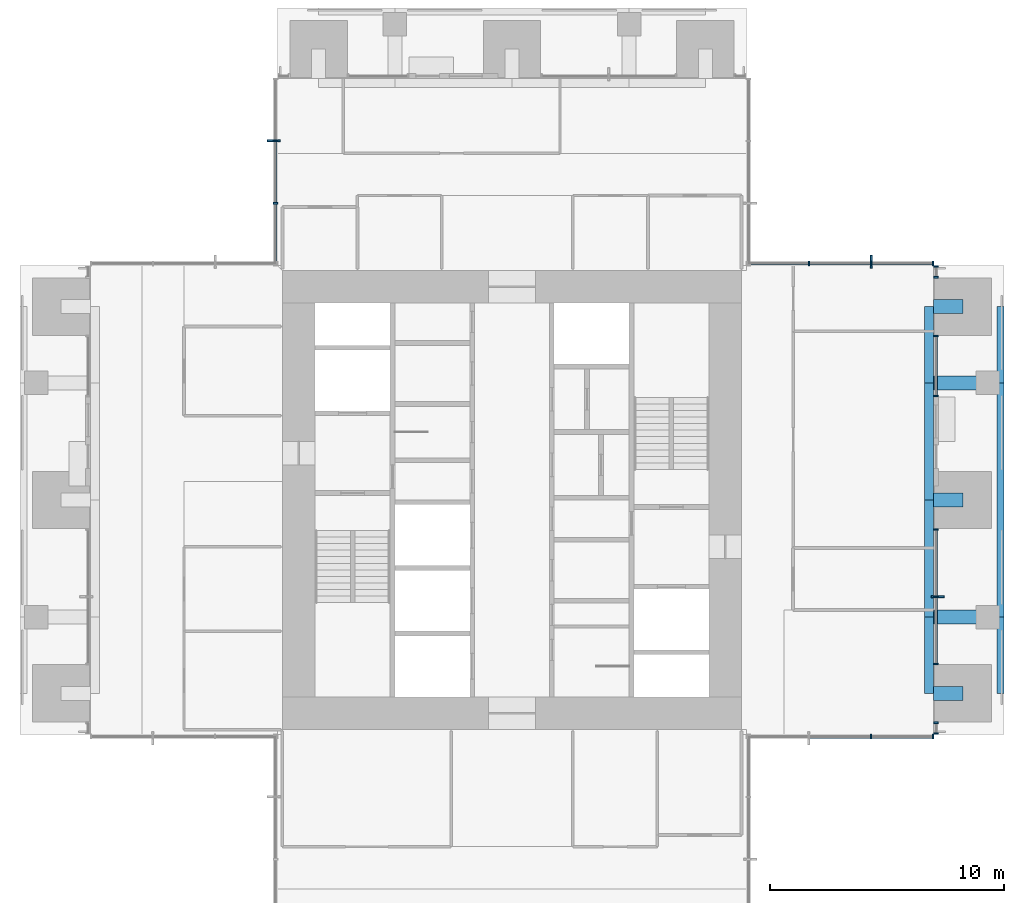
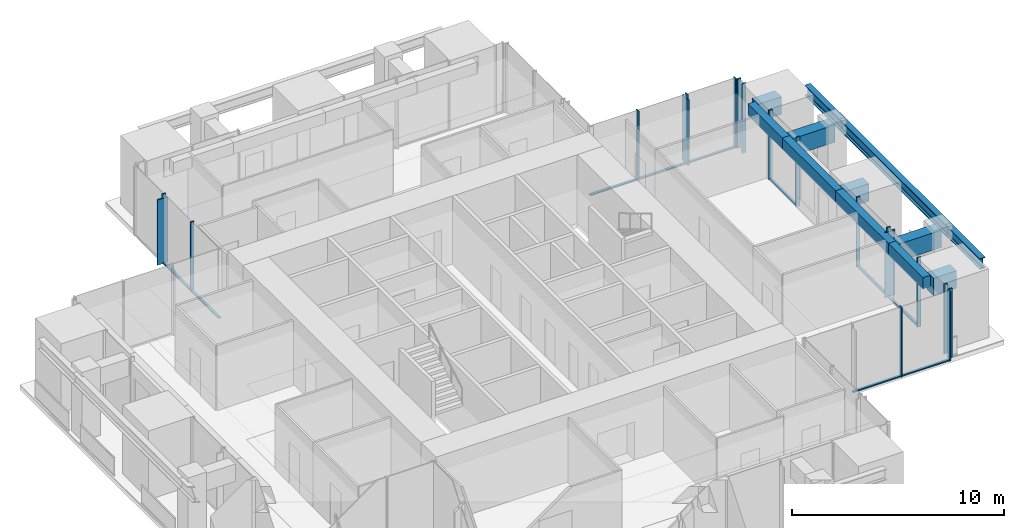
# One storey, part 4 of 17: 29 members, 12 beams, 7 elements without a shape of their own.
"""IFC4 building model written with IfcOpenShell, lengths in metres."""

from ifc_helpers import new_model, si_unit, direction, frame, origin, origin_2d, place, context, subcontext, project, spatial, rectangle, i_section, extrude, material, material_profile, profile_set, type_object, element, aggregate, save


model = new_model("IFC4")

# Units and contexts
model_context = context("Model", 3, precision=1e-05, world=origin(), true_north=direction((0.0, 1.0)))
body_context = subcontext(model_context, "Body", "Model", "MODEL_VIEW")
ifc_project = project(units=[si_unit("LENGTHUNIT", "METRE"), si_unit("AREAUNIT", "SQUARE_METRE"), si_unit("VOLUMEUNIT", "CUBIC_METRE"), si_unit("PLANEANGLEUNIT", "RADIAN"), si_unit("MASSUNIT", "GRAM", prefix="KILO")], contexts=[model_context])

# Site, building, storey
site_placement = place(None, origin())
site = spatial("IfcSite", under=ifc_project, at=site_placement, CompositionType="ELEMENT")
building_placement = place(site_placement, origin())
building = spatial("IfcBuilding", under=site, at=building_placement, Name="Svetlomir Tower", CompositionType="ELEMENT")
storey_placement = place(building_placement, frame((0.0, 0.0, 182.5)))
storey = spatial("IfcBuildingStorey", under=building, at=storey_placement, Name="L43", CompositionType="ELEMENT", Elevation=182.5)

# Curtain wall, member
ifc_material_1 = material(Name="Bronze anodised aluminium curtain wall", Category="aluminium")
curtain_wall_type = type_object("IfcCurtainWallType", Name="CURTAIN WALL CW1 TOWER OFFICE", PredefinedType="NOTDEFINED", material=ifc_material_1)
curtain_wall_1_placement = place(storey_placement, origin())
curtain_wall_1 = element("IfcCurtainWall", 1, at=curtain_wall_1_placement, inside=storey, type_object=curtain_wall_type, Name="Curtain wall CW1 L43", PredefinedType="NOTDEFINED")
ifc_material_2 = material(Name="Bronze anodised aluminium", Category="aluminium")
ifc_material_profile_1 = material_profile(ifc_material_2, rectangle(XDim=0.080078125, YDim=0.550048828125, at=origin_2d()), Name="FIN 80x550")
ifc_profile_set_1 = profile_set([ifc_material_profile_1], Name="Bronze anodised aluminium 6063-T6")
member_type_1 = type_object("IfcMemberType", Name="BRONZE FIN 80x550", PredefinedType="USERDEFINED", material=ifc_profile_set_1)
member_1_placement = place(storey_placement, frame((39.175048828125, 16.875, 0.0), z_axis=(0.0, 0.0, 1.0), x_axis=(0.0, 1.0, 0.0)))
member_1 = element("IfcMember", 2, at=member_1_placement, type_object=member_type_1, Name="Bronze fin L43", ObjectType="FIN", PredefinedType="USERDEFINED", context=body_context, shape_type="SweptSolid", body=[
    extrude(rectangle(XDim=0.080078125, YDim=0.550048828125, at=origin_2d()), origin(), (0.0, 0.0, 1.0), 3.75),
])

curtain_wall_2_placement = place(storey_placement, origin())
curtain_wall_2 = element("IfcCurtainWall", 3, at=curtain_wall_2_placement, inside=storey, type_object=curtain_wall_type, Name="Curtain wall CW1 L43", PredefinedType="NOTDEFINED")
member_2_placement = place(storey_placement, frame((36.333251953125, 31.175048828125, 0.0), z_axis=(0.0, 0.0, 1.0), x_axis=(1.0, 0.0, 0.0)))
member_2 = element("IfcMember", 4, at=member_2_placement, type_object=member_type_1, Name="Bronze fin L43", ObjectType="FIN", PredefinedType="USERDEFINED", context=body_context, shape_type="SweptSolid", body=[
    extrude(rectangle(XDim=0.080078125, YDim=0.550048828125, at=origin_2d()), origin(), (0.0, 0.0, 1.0), 3.75),
])

curtain_wall_3_placement = place(storey_placement, origin())
curtain_wall_3 = element("IfcCurtainWall", 5, at=curtain_wall_3_placement, inside=storey, type_object=curtain_wall_type, Name="Curtain wall CW1 L43", PredefinedType="NOTDEFINED")
member_3_placement = place(storey_placement, frame((10.824951171875, 36.333251953125, 0.0), z_axis=(0.0, 0.0, 1.0), x_axis=(0.0, 1.0, 0.0)))
member_3 = element("IfcMember", 6, at=member_3_placement, type_object=member_type_1, Name="Bronze fin L43", ObjectType="FIN", PredefinedType="USERDEFINED", context=body_context, shape_type="SweptSolid", body=[
    extrude(rectangle(XDim=0.080078125, YDim=0.550048828125, at=origin_2d()), origin(), (0.0, 0.0, 1.0), 3.75),
])

# Curtain wall, members
curtain_wall_4_placement = place(storey_placement, origin())
curtain_wall_4 = element("IfcCurtainWall", 7, at=curtain_wall_4_placement, inside=storey, type_object=curtain_wall_type, Name="Curtain wall CW1 L43", PredefinedType="NOTDEFINED")
ifc_material_3 = material(Name="Bronze anodised aluminium", Category="aluminium")
ifc_material_profile_2 = material_profile(ifc_material_3, rectangle(XDim=0.06494140625, YDim=0.199951171875, at=origin_2d()), Name="AL 65x200")
ifc_profile_set_2 = profile_set([ifc_material_profile_2], Name="Bronze anodised aluminium 6063-T6")
member_type_2 = type_object("IfcMemberType", Name="CW1 MULLION 65x200", PredefinedType="MULLION", material=ifc_profile_set_2)
member_4_placement = place(storey_placement, frame((36.333251953125, 10.89990234375, 0.0), z_axis=(0.0, 0.0, 1.0), x_axis=(1.0, 0.0, 0.0)))
member_4 = element("IfcMember", 8, at=member_4_placement, type_object=member_type_2, Name="CW1 mullion 3", PredefinedType="MULLION", context=body_context, shape_type="SweptSolid", body=[
    extrude(rectangle(XDim=0.06494140625, YDim=0.199951171875, at=origin_2d()), origin(), (0.0, 0.0, 1.0), 4.0),
])
member_5_placement = place(storey_placement, frame((38.967529296875, 10.89990234375, 0.0), z_axis=(0.0, 0.0, 1.0), x_axis=(1.0, 0.0, 0.0)))
member_5 = element("IfcMember", 9, at=member_5_placement, type_object=member_type_2, Name="CW1 mullion 4", PredefinedType="MULLION", context=body_context, shape_type="SweptSolid", body=[
    extrude(rectangle(XDim=0.06494140625, YDim=0.199951171875, at=origin_2d()), origin(), (0.0, 0.0, 1.0), 4.0),
])

curtain_wall_5_placement = place(storey_placement, origin())
curtain_wall_5 = element("IfcCurtainWall", 10, at=curtain_wall_5_placement, inside=storey, type_object=curtain_wall_type, Name="Curtain wall CW1 L43", PredefinedType="NOTDEFINED")
member_6_placement = place(storey_placement, frame((39.10009765625, 11.032470703125, 0.0), z_axis=(0.0, 0.0, 1.0), x_axis=(0.0, 1.0, 0.0)))
member_6 = element("IfcMember", 11, at=member_6_placement, type_object=member_type_2, Name="CW1 mullion 1", PredefinedType="MULLION", context=body_context, shape_type="SweptSolid", body=[
    extrude(rectangle(XDim=0.06494140625, YDim=0.199951171875, at=origin_2d()), origin(), (0.0, 0.0, 1.0), 4.0),
])
member_7_placement = place(storey_placement, frame((39.10009765625, 11.492431640625, 0.0), z_axis=(0.0, 0.0, 1.0), x_axis=(0.0, 1.0, 0.0)))
member_7 = element("IfcMember", 12, at=member_7_placement, type_object=member_type_2, Name="CW1 mullion 2", PredefinedType="MULLION", context=body_context, shape_type="SweptSolid", body=[
    extrude(rectangle(XDim=0.06494140625, YDim=0.199951171875, at=origin_2d()), origin(), (0.0, 0.0, 1.0), 4.0),
])
aggregate(curtain_wall_5, [member_6, member_7])

# Member
member_8_placement = place(storey_placement, frame((39.10009765625, 14.007568359375, 0.0), z_axis=(0.0, 0.0, 1.0), x_axis=(0.0, 1.0, 0.0)))
member_8 = element("IfcMember", 13, at=member_8_placement, type_object=member_type_2, Name="CW1 mullion 1", PredefinedType="MULLION", context=body_context, shape_type="SweptSolid", body=[
    extrude(rectangle(XDim=0.06494140625, YDim=0.199951171875, at=origin_2d()), origin(), (0.0, 0.0, 1.0), 4.0),
])

member_9_placement = place(storey_placement, frame((39.10009765625, 16.875, 0.0), z_axis=(0.0, 0.0, 1.0), x_axis=(0.0, 1.0, 0.0)))
member_9 = element("IfcMember", 14, at=member_9_placement, type_object=member_type_2, Name="CW1 mullion 2", PredefinedType="MULLION", context=body_context, shape_type="SweptSolid", body=[
    extrude(rectangle(XDim=0.06494140625, YDim=0.199951171875, at=origin_2d()), origin(), (0.0, 0.0, 1.0), 4.0),
])

member_10_placement = place(storey_placement, frame((39.10009765625, 19.742431640625, 0.0), z_axis=(0.0, 0.0, 1.0), x_axis=(0.0, 1.0, 0.0)))
member_10 = element("IfcMember", 15, at=member_10_placement, type_object=member_type_2, Name="CW1 mullion 3", PredefinedType="MULLION", context=body_context, shape_type="SweptSolid", body=[
    extrude(rectangle(XDim=0.06494140625, YDim=0.199951171875, at=origin_2d()), origin(), (0.0, 0.0, 1.0), 4.0),
])

# Curtain wall, members
curtain_wall_6_placement = place(storey_placement, origin())
curtain_wall_6 = element("IfcCurtainWall", 16, at=curtain_wall_6_placement, inside=storey, type_object=curtain_wall_type, Name="Curtain wall CW1 L43", PredefinedType="NOTDEFINED")
member_11_placement = place(storey_placement, frame((39.10009765625, 25.4326171875, 0.0), z_axis=(0.0, 0.0, 1.0), x_axis=(0.0, 1.0, 0.0)))
member_11 = element("IfcMember", 17, at=member_11_placement, type_object=member_type_2, Name="CW1 mullion 1", PredefinedType="MULLION", context=body_context, shape_type="SweptSolid", body=[
    extrude(rectangle(XDim=0.06494140625, YDim=0.199951171875, at=origin_2d()), origin(), (0.0, 0.0, 1.0), 4.0),
])
member_12_placement = place(storey_placement, frame((39.10009765625, 27.992431640625, 0.0), z_axis=(0.0, 0.0, 1.0), x_axis=(0.0, 1.0, 0.0)))
member_12 = element("IfcMember", 18, at=member_12_placement, type_object=member_type_2, Name="CW1 mullion 2", PredefinedType="MULLION", context=body_context, shape_type="SweptSolid", body=[
    extrude(rectangle(XDim=0.06494140625, YDim=0.199951171875, at=origin_2d()), origin(), (0.0, 0.0, 1.0), 4.0),
])

curtain_wall_7_placement = place(storey_placement, origin())
curtain_wall_7 = element("IfcCurtainWall", 19, at=curtain_wall_7_placement, inside=storey, type_object=curtain_wall_type, Name="Curtain wall CW1 L43", PredefinedType="NOTDEFINED")
member_13_placement = place(storey_placement, frame((39.10009765625, 30.507568359375, 0.0), z_axis=(0.0, 0.0, 1.0), x_axis=(0.0, 1.0, 0.0)))
member_13 = element("IfcMember", 20, at=member_13_placement, type_object=member_type_2, Name="CW1 mullion 1", PredefinedType="MULLION", context=body_context, shape_type="SweptSolid", body=[
    extrude(rectangle(XDim=0.06494140625, YDim=0.199951171875, at=origin_2d()), origin(), (0.0, 0.0, 1.0), 4.0),
])
member_14_placement = place(storey_placement, frame((39.10009765625, 30.967529296875, 0.0), z_axis=(0.0, 0.0, 1.0), x_axis=(0.0, 1.0, 0.0)))
member_14 = element("IfcMember", 21, at=member_14_placement, type_object=member_type_2, Name="CW1 mullion 2", PredefinedType="MULLION", context=body_context, shape_type="SweptSolid", body=[
    extrude(rectangle(XDim=0.06494140625, YDim=0.199951171875, at=origin_2d()), origin(), (0.0, 0.0, 1.0), 4.0),
])
aggregate(curtain_wall_7, [member_13, member_14])

# Member
member_15_placement = place(storey_placement, frame((38.967529296875, 31.10009765625, 0.0), z_axis=(0.0, 0.0, 1.0), x_axis=(-1.0, 0.0, 0.0)))
member_15 = element("IfcMember", 22, at=member_15_placement, type_object=member_type_2, Name="CW1 mullion 1", PredefinedType="MULLION", context=body_context, shape_type="SweptSolid", body=[
    extrude(rectangle(XDim=0.06494140625, YDim=0.199951171875, at=origin_2d()), origin(), (0.0, 0.0, 1.0), 4.0),
])

member_16_placement = place(storey_placement, frame((36.333251953125, 31.10009765625, 0.0), z_axis=(0.0, 0.0, 1.0), x_axis=(-1.0, 0.0, 0.0)))
member_16 = element("IfcMember", 23, at=member_16_placement, type_object=member_type_2, Name="CW1 mullion 2", PredefinedType="MULLION", context=body_context, shape_type="SweptSolid", body=[
    extrude(rectangle(XDim=0.06494140625, YDim=0.199951171875, at=origin_2d()), origin(), (0.0, 0.0, 1.0), 4.0),
])

member_17_placement = place(storey_placement, frame((33.666748046875, 31.10009765625, 0.0), z_axis=(0.0, 0.0, 1.0), x_axis=(-1.0, 0.0, 0.0)))
member_17 = element("IfcMember", 24, at=member_17_placement, type_object=member_type_2, Name="CW1 mullion 3", PredefinedType="MULLION", context=body_context, shape_type="SweptSolid", body=[
    extrude(rectangle(XDim=0.06494140625, YDim=0.199951171875, at=origin_2d()), origin(), (0.0, 0.0, 1.0), 4.0),
])

member_18_placement = place(storey_placement, frame((10.89990234375, 36.333251953125, 0.0), z_axis=(0.0, 0.0, 1.0), x_axis=(0.0, -1.0, 0.0)))
member_18 = element("IfcMember", 25, at=member_18_placement, type_object=member_type_2, Name="CW1 mullion 2", PredefinedType="MULLION", context=body_context, shape_type="SweptSolid", body=[
    extrude(rectangle(XDim=0.06494140625, YDim=0.199951171875, at=origin_2d()), origin(), (0.0, 0.0, 1.0), 4.0),
])

member_19_placement = place(storey_placement, frame((10.89990234375, 33.666748046875, 0.0), z_axis=(0.0, 0.0, 1.0), x_axis=(0.0, -1.0, 0.0)))
member_19 = element("IfcMember", 26, at=member_19_placement, type_object=member_type_2, Name="CW1 mullion 3", PredefinedType="MULLION", context=body_context, shape_type="SweptSolid", body=[
    extrude(rectangle(XDim=0.06494140625, YDim=0.199951171875, at=origin_2d()), origin(), (0.0, 0.0, 1.0), 4.0),
])

ifc_material_4 = material(Name="Bronze anodised aluminium", Category="aluminium")
ifc_material_profile_3 = material_profile(ifc_material_4, rectangle(XDim=0.139892578125, YDim=0.06494140625, at=origin_2d()), Name="AL 140x65")
ifc_profile_set_3 = profile_set([ifc_material_profile_3], Name="Bronze anodised aluminium 6063-T6")
member_type_3 = type_object("IfcMemberType", Name="CW1 TRANSOM 65x140", PredefinedType="USERDEFINED", material=ifc_profile_set_3)
member_20_placement = place(storey_placement, frame((33.69921875, 10.89990234375, 0.032470703125), z_axis=(1.0, 0.0, 0.0), x_axis=(0.0, 1.0, 0.0)))
member_20 = element("IfcMember", 27, at=member_20_placement, type_object=member_type_3, Name="CW1 transom 2.1", ObjectType="TRANSOM", PredefinedType="USERDEFINED", context=body_context, shape_type="SweptSolid", body=[
    extrude(rectangle(XDim=0.139892578125, YDim=0.06494140625, at=origin_2d()), origin(), (0.0, 0.0, 1.0), 2.6015625),
])

member_21_placement = place(storey_placement, frame((36.36572265625, 10.89990234375, 0.032470703125), z_axis=(1.0, 0.0, 0.0), x_axis=(0.0, 1.0, 0.0)))
member_21 = element("IfcMember", 28, at=member_21_placement, type_object=member_type_3, Name="CW1 transom 3.1", ObjectType="TRANSOM", PredefinedType="USERDEFINED", context=body_context, shape_type="SweptSolid", body=[
    extrude(rectangle(XDim=0.139892578125, YDim=0.06494140625, at=origin_2d()), origin(), (0.0, 0.0, 1.0), 2.5693359375),
])

aggregate(curtain_wall_4, [member_4, member_5, member_20, member_21])

member_22_placement = place(storey_placement, frame((39.10009765625, 14.0400390625, 0.032470703125), z_axis=(0.0, 1.0, 0.0), x_axis=(-1.0, 0.0, 0.0)))
member_22 = element("IfcMember", 29, at=member_22_placement, type_object=member_type_3, Name="CW1 transom 1.1", ObjectType="TRANSOM", PredefinedType="USERDEFINED", context=body_context, shape_type="SweptSolid", body=[
    extrude(rectangle(XDim=0.139892578125, YDim=0.06494140625, at=origin_2d()), origin(), (0.0, 0.0, 1.0), 2.802490234375),
])

member_23_placement = place(storey_placement, frame((39.10009765625, 16.907470703125, 0.032470703125), z_axis=(0.0, 1.0, 0.0), x_axis=(-1.0, 0.0, 0.0)))
member_23 = element("IfcMember", 30, at=member_23_placement, type_object=member_type_3, Name="CW1 transom 2.1", ObjectType="TRANSOM", PredefinedType="USERDEFINED", context=body_context, shape_type="SweptSolid", body=[
    extrude(rectangle(XDim=0.139892578125, YDim=0.06494140625, at=origin_2d()), origin(), (0.0, 0.0, 1.0), 2.802490234375),
])

aggregate(curtain_wall_1, [member_8, member_9, member_10, member_22, member_23, member_1])

member_24_placement = place(storey_placement, frame((39.10009765625, 25.465087890625, 0.032470703125), z_axis=(0.0, 1.0, 0.0), x_axis=(-1.0, 0.0, 0.0)))
member_24 = element("IfcMember", 31, at=member_24_placement, type_object=member_type_3, Name="CW1 transom 1.1", ObjectType="TRANSOM", PredefinedType="USERDEFINED", context=body_context, shape_type="SweptSolid", body=[
    extrude(rectangle(XDim=0.139892578125, YDim=0.06494140625, at=origin_2d()), origin(), (0.0, 0.0, 1.0), 2.494873046875),
])

aggregate(curtain_wall_6, [member_11, member_12, member_24])

member_25_placement = place(storey_placement, frame((38.93505859375, 31.10009765625, 0.032470703125), z_axis=(-1.0, 0.0, 0.0), x_axis=(0.0, -1.0, 0.0)))
member_25 = element("IfcMember", 32, at=member_25_placement, type_object=member_type_3, Name="CW1 transom 1.1", ObjectType="TRANSOM", PredefinedType="USERDEFINED", context=body_context, shape_type="SweptSolid", body=[
    extrude(rectangle(XDim=0.139892578125, YDim=0.06494140625, at=origin_2d()), origin(), (0.0, 0.0, 1.0), 2.5693359375),
])

member_26_placement = place(storey_placement, frame((36.30078125, 31.10009765625, 0.032470703125), z_axis=(-1.0, 0.0, 0.0), x_axis=(0.0, -1.0, 0.0)))
member_26 = element("IfcMember", 33, at=member_26_placement, type_object=member_type_3, Name="CW1 transom 2.1", ObjectType="TRANSOM", PredefinedType="USERDEFINED", context=body_context, shape_type="SweptSolid", body=[
    extrude(rectangle(XDim=0.139892578125, YDim=0.06494140625, at=origin_2d()), origin(), (0.0, 0.0, 1.0), 2.6015625),
])

member_27_placement = place(storey_placement, frame((33.63427734375, 31.10009765625, 0.032470703125), z_axis=(-1.0, 0.0, 0.0), x_axis=(0.0, -1.0, 0.0)))
member_27 = element("IfcMember", 34, at=member_27_placement, type_object=member_type_3, Name="CW1 transom 3.1", ObjectType="TRANSOM", PredefinedType="USERDEFINED", context=body_context, shape_type="SweptSolid", body=[
    extrude(rectangle(XDim=0.139892578125, YDim=0.06494140625, at=origin_2d()), origin(), (0.0, 0.0, 1.0), 2.5693359375),
])

aggregate(curtain_wall_2, [member_15, member_16, member_17, member_25, member_26, member_27, member_2])

member_28_placement = place(storey_placement, frame((10.89990234375, 36.30078125, 0.032470703125), z_axis=(0.0, -1.0, 0.0), x_axis=(1.0, 0.0, 0.0)))
member_28 = element("IfcMember", 35, at=member_28_placement, type_object=member_type_3, Name="CW1 transom 2.1", ObjectType="TRANSOM", PredefinedType="USERDEFINED", context=body_context, shape_type="SweptSolid", body=[
    extrude(rectangle(XDim=0.139892578125, YDim=0.06494140625, at=origin_2d()), origin(), (0.0, 0.0, 1.0), 2.6015625),
])

member_29_placement = place(storey_placement, frame((10.89990234375, 33.63427734375, 0.032470703125), z_axis=(0.0, -1.0, 0.0), x_axis=(1.0, 0.0, 0.0)))
member_29 = element("IfcMember", 36, at=member_29_placement, type_object=member_type_3, Name="CW1 transom 3.1", ObjectType="TRANSOM", PredefinedType="USERDEFINED", context=body_context, shape_type="SweptSolid", body=[
    extrude(rectangle(XDim=0.139892578125, YDim=0.06494140625, at=origin_2d()), origin(), (0.0, 0.0, 1.0), 2.5693359375),
])

aggregate(curtain_wall_3, [member_18, member_19, member_28, member_29, member_3])

# Beams
ifc_material_5 = material(Name="Steel S355", Category="steel")
ifc_material_profile_4 = material_profile(ifc_material_5, i_section(OverallWidth=0.304931640625, OverallDepth=0.6201171875, WebThickness=0.02099609375, FlangeThickness=0.0400390625, FilletRadius=0.027099609375, at=origin_2d()), Name="HEM 600")
ifc_profile_set_4 = profile_set([ifc_material_profile_4], Name="Steel S355")
beam_type_1 = type_object("IfcBeamType", Name="EDGE BEAM HEM 600", PredefinedType="SPANDREL", material=ifc_profile_set_4)
beam_1_placement = place(storey_placement, frame((41.847412109375, 12.75, 3.43994140625), z_axis=(0.0, 1.0, 0.0), x_axis=(-1.0, 0.0, 0.0)))
element("IfcBeam", 37, at=beam_1_placement, inside=storey, type_object=beam_type_1, Name="Edge beam 42/11 to 42/16 under L44", PredefinedType="SPANDREL", context=body_context, shape_type="SweptSolid", body=[
    extrude(i_section(OverallWidth=0.304931640625, OverallDepth=0.6201171875, WebThickness=0.02099609375, FlangeThickness=0.0400390625, FilletRadius=0.027099609375, at=origin_2d()), origin(), (0.0, 0.0, 1.0), 3.25),
])
beam_2_placement = place(storey_placement, frame((41.847412109375, 16.0, 3.43994140625), z_axis=(0.0, 1.0, 0.0), x_axis=(-1.0, 0.0, 0.0)))
element("IfcBeam", 38, at=beam_2_placement, inside=storey, type_object=beam_type_1, Name="Edge beam 42/16 to 42/26 under L44", PredefinedType="SPANDREL", context=body_context, shape_type="SweptSolid", body=[
    extrude(i_section(OverallWidth=0.304931640625, OverallDepth=0.6201171875, WebThickness=0.02099609375, FlangeThickness=0.0400390625, FilletRadius=0.027099609375, at=origin_2d()), origin(), (0.0, 0.0, 1.0), 10.0),
])
beam_3_placement = place(storey_placement, frame((41.847412109375, 26.0, 3.43994140625), z_axis=(0.0, 1.0, 0.0), x_axis=(-1.0, 0.0, 0.0)))
element("IfcBeam", 39, at=beam_3_placement, inside=storey, type_object=beam_type_1, Name="Edge beam 42/26 to 42/31 under L44", PredefinedType="SPANDREL", context=body_context, shape_type="SweptSolid", body=[
    extrude(i_section(OverallWidth=0.304931640625, OverallDepth=0.6201171875, WebThickness=0.02099609375, FlangeThickness=0.0400390625, FilletRadius=0.027099609375, at=origin_2d()), origin(), (0.0, 0.0, 1.0), 3.25),
])
ifc_material_6 = material(Name="Concrete C60/75", Category="concrete")
ifc_material_profile_5 = material_profile(ifc_material_6, rectangle(XDim=0.39990234375, YDim=0.64990234375, at=origin_2d()), Name="RC 400x650")
ifc_profile_set_5 = profile_set([ifc_material_profile_5], Name="Concrete C60/75")
beam_type_2 = type_object("IfcBeamType", Name="FACADE EDGE BEAM RC 400x650", PredefinedType="BEAM", material=ifc_profile_set_5)
beam_4_placement = place(storey_placement, frame((38.800048828125, 12.75, 3.425048828125), z_axis=(0.0, 1.0, 0.0), x_axis=(-1.0, 0.0, 0.0)))
element("IfcBeam", 40, at=beam_4_placement, inside=storey, type_object=beam_type_2, Name="Facade edge beam E 11 to 16 under L44", PredefinedType="BEAM", context=body_context, shape_type="SweptSolid", body=[
    extrude(rectangle(XDim=0.39990234375, YDim=0.64990234375, at=origin_2d()), origin(), (0.0, 0.0, 1.0), 3.25),
])
for number, where, z_axis, x_axis, name in (
    (41, (38.800048828125, 16.0, 3.425048828125), (0.0, 1.0, 0.0), (-1.0, 0.0, 0.0), "Facade edge beam E 16 to 21 under L44"),
    (42, (38.800048828125, 21.0, 3.425048828125), (0.0, 1.0, 0.0), (-1.0, 0.0, 0.0), "Facade edge beam E 21 to 26 under L44"),
):
    element("IfcBeam", number, at=place(storey_placement, frame(where, z_axis=z_axis, x_axis=x_axis)), inside=storey, type_object=beam_type_2, Name=name, PredefinedType="BEAM", context=body_context, shape_type="SweptSolid", body=[
        extrude(rectangle(XDim=0.39990234375, YDim=0.64990234375, at=origin_2d()), origin(), (0.0, 0.0, 1.0), 5.0),
    ])
beam_5_placement = place(storey_placement, frame((38.800048828125, 26.0, 3.425048828125), z_axis=(0.0, 1.0, 0.0), x_axis=(-1.0, 0.0, 0.0)))
element("IfcBeam", 43, at=beam_5_placement, inside=storey, type_object=beam_type_2, Name="Facade edge beam E 26 to 31 under L44", PredefinedType="BEAM", context=body_context, shape_type="SweptSolid", body=[
    extrude(rectangle(XDim=0.39990234375, YDim=0.64990234375, at=origin_2d()), origin(), (0.0, 0.0, 1.0), 3.25),
])
ifc_material_7 = material(Name="Concrete C60/75", Category="concrete")
ifc_material_profile_6 = material_profile(ifc_material_7, rectangle(XDim=0.60009765625, YDim=1.0, at=origin_2d()), Name="RC 600x1000")
ifc_profile_set_6 = profile_set([ifc_material_profile_6], Name="Concrete C60/75")
beam_type_3 = type_object("IfcBeamType", Name="LOGGIA LINK BEAM RC 600x1000", PredefinedType="BEAM", material=ifc_profile_set_6)
beam_6_placement = place(storey_placement, frame((40.25, 12.75, 3.25), z_axis=(-1.0, 0.0, 0.0), x_axis=(0.0, -1.0, 0.0)))
element("IfcBeam", 44, at=beam_6_placement, inside=storey, type_object=beam_type_3, Name="Loggia link beam E 11 under L44", PredefinedType="BEAM", context=body_context, shape_type="SweptSolid", body=[
    extrude(rectangle(XDim=0.60009765625, YDim=1.0, at=origin_2d()), origin(), (0.0, 0.0, 1.0), 1.25),
])
beam_7_placement = place(storey_placement, frame((41.300048828125, 16.0, 3.25), z_axis=(-1.0, 0.0, 0.0), x_axis=(0.0, -1.0, 0.0)))
element("IfcBeam", 45, at=beam_7_placement, inside=storey, type_object=beam_type_3, Name="Loggia link beam E 16 under L44", PredefinedType="BEAM", context=body_context, shape_type="SweptSolid", body=[
    extrude(rectangle(XDim=0.60009765625, YDim=1.0, at=origin_2d()), origin(), (0.0, 0.0, 1.0), 2.300048828125),
])
beam_8_placement = place(storey_placement, frame((40.25, 21.0, 3.25), z_axis=(-1.0, 0.0, 0.0), x_axis=(0.0, -1.0, 0.0)))
element("IfcBeam", 46, at=beam_8_placement, inside=storey, type_object=beam_type_3, Name="Loggia link beam E 21 under L44", PredefinedType="BEAM", context=body_context, shape_type="SweptSolid", body=[
    extrude(rectangle(XDim=0.60009765625, YDim=1.0, at=origin_2d()), origin(), (0.0, 0.0, 1.0), 1.25),
])
beam_9_placement = place(storey_placement, frame((41.300048828125, 26.0, 3.25), z_axis=(-1.0, 0.0, 0.0), x_axis=(0.0, -1.0, 0.0)))
element("IfcBeam", 47, at=beam_9_placement, inside=storey, type_object=beam_type_3, Name="Loggia link beam E 26 under L44", PredefinedType="BEAM", context=body_context, shape_type="SweptSolid", body=[
    extrude(rectangle(XDim=0.60009765625, YDim=1.0, at=origin_2d()), origin(), (0.0, 0.0, 1.0), 2.300048828125),
])
beam_10_placement = place(storey_placement, frame((40.25, 29.25, 3.25), z_axis=(-1.0, 0.0, 0.0), x_axis=(0.0, -1.0, 0.0)))
element("IfcBeam", 48, at=beam_10_placement, inside=storey, type_object=beam_type_3, Name="Loggia link beam E 31 under L44", PredefinedType="BEAM", context=body_context, shape_type="SweptSolid", body=[
    extrude(rectangle(XDim=0.60009765625, YDim=1.0, at=origin_2d()), origin(), (0.0, 0.0, 1.0), 1.25),
])

save(model, "model.ifc")
